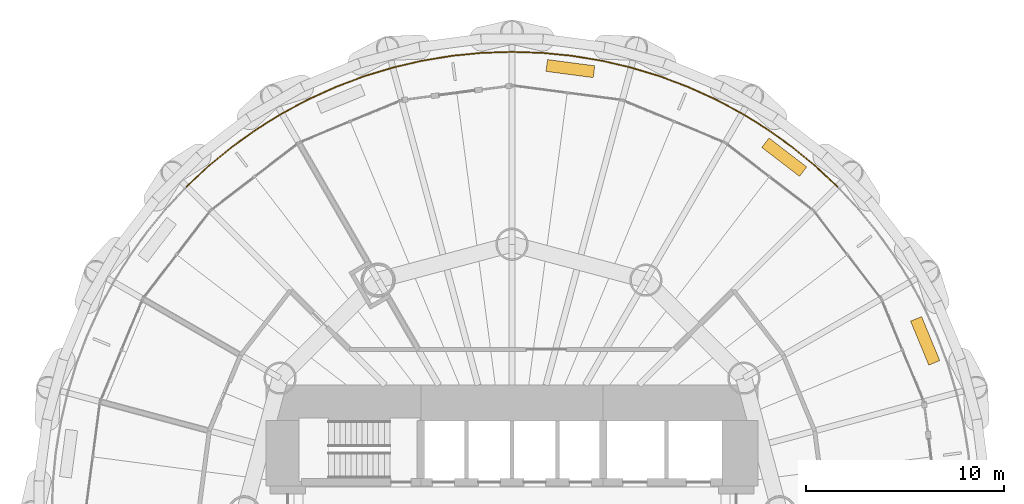
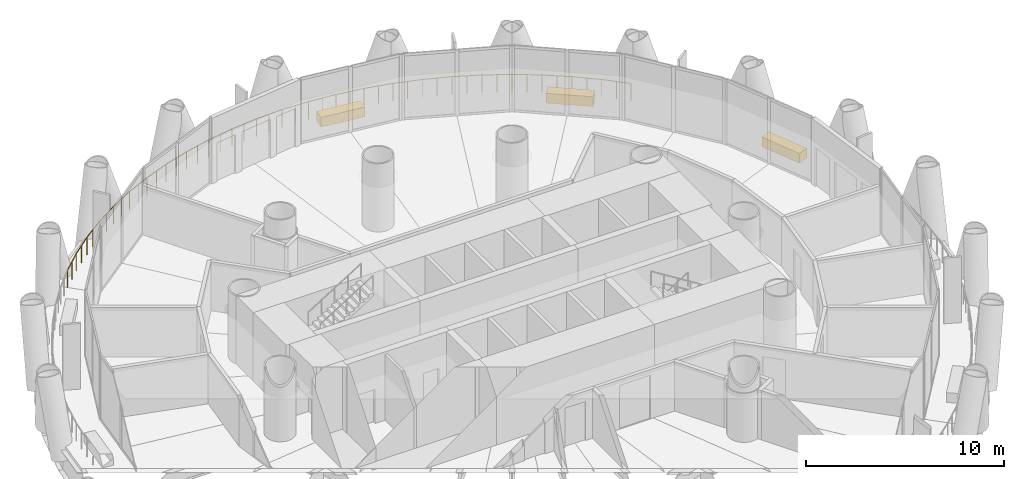
# One storey, part 16 of 16: 3 coverings, 1 railing.
"""IFC4 building model written with IfcOpenShell, lengths in metres."""

from ifc_helpers import new_model, si_unit, direction, frame, origin, origin_2d, place, context, subcontext, project, spatial, rectangle, circle, extrude, material, layer, layer_set, type_object, element, save


model = new_model("IFC4")

# Units and contexts
model_context = context("Model", 3, precision=1e-05, world=origin(), true_north=direction((0.0, 1.0)))
body_context = subcontext(model_context, "Body", "Model", "MODEL_VIEW")
ifc_project = project(units=[si_unit("LENGTHUNIT", "METRE"), si_unit("AREAUNIT", "SQUARE_METRE"), si_unit("VOLUMEUNIT", "CUBIC_METRE"), si_unit("PLANEANGLEUNIT", "RADIAN"), si_unit("MASSUNIT", "GRAM", prefix="KILO")], contexts=[model_context])

# Site, building, storey
site_placement = place(None, origin())
site = spatial("IfcSite", under=ifc_project, at=site_placement, CompositionType="ELEMENT")
building_placement = place(site_placement, origin())
building = spatial("IfcBuilding", under=site, at=building_placement, Name="Qaws Media Tower", CompositionType="ELEMENT")
storey_placement = place(building_placement, frame((0.0, 0.0, 38.60009765625)))
storey = spatial("IfcBuildingStorey", under=building, at=storey_placement, Name="L07", CompositionType="ELEMENT", Elevation=38.60009765625)

# Railing
ifc_material_1 = material(Name="Stainless steel and glass guard", Category="steel")
railing_type = type_object("IfcRailingType", Name="Balcony guard 1100", PredefinedType="GUARDRAIL", material=ifc_material_1)
railing_placement = place(storey_placement, frame((76.40478515625, 66.40478515625, 0.0)))
element("IfcRailing", 1, at=railing_placement, inside=storey, type_object=railing_type, Name="GR1 balcony guard L07-1", PredefinedType="GUARDRAIL", context=body_context, shape_type="SweptSolid", body=[
    extrude(circle(Radius=0.02392578125, at=origin_2d()), frame((0.0, 0.0, 1.076171875), z_axis=(-0.729807969016, 0.683652198388, 0.0), x_axis=(-0.683652198388, -0.729807969016, 0.0)), (0.0, 0.0, 1.0), 1.51806640625),
    extrude(circle(Radius=0.02392578125, at=origin_2d()), frame((-1.10791015625, 1.037841796875, 1.076171875), z_axis=(-0.773010685803, 0.634393000934, 0.0), x_axis=(-0.634393000934, -0.773010685803, 0.0)), (0.0, 0.0, 1.0), 1.518310546875),
    extrude(circle(Radius=0.02392578125, at=origin_2d()), frame((-2.281494140625, 2.0009765625, 1.076171875), z_axis=(-0.812874227646, 0.582439258661, 0.0), x_axis=(-0.582439258661, -0.812874227646, 0.0)), (0.0, 0.0, 1.0), 1.518310546875),
    extrude(circle(Radius=0.02392578125, at=origin_2d()), frame((-3.515625, 2.88525390625, 1.076171875), z_axis=(-0.849152775167, 0.528147294252, 0.0), x_axis=(-0.528147294252, -0.849152775167, 0.0)), (0.0, 0.0, 1.0), 1.51806640625),
    extrude(circle(Radius=0.02392578125, at=origin_2d()), frame((-4.8046875, 3.68701171875, 1.076171875), z_axis=(-0.881974308934, 0.471297483953, 0.0), x_axis=(-0.471297483953, -0.881974308934, 0.0)), (0.0, 0.0, 1.0), 1.518310546875),
    extrude(circle(Radius=0.02392578125, at=origin_2d()), frame((-6.143798828125, 4.402587890625, 1.076171875), z_axis=(-0.910823016553, 0.41279708395, 0.0), x_axis=(-0.41279708395, -0.910823016553, 0.0)), (0.0, 0.0, 1.0), 1.518310546875),
    extrude(circle(Radius=0.02392578125, at=origin_2d()), frame((-7.526611328125, 5.029296875, 1.076171875), z_axis=(-0.935932055132, 0.352180618684, 0.0), x_axis=(-0.352180618684, -0.935932055132, 0.0)), (0.0, 0.0, 1.0), 1.51806640625),
    extrude(circle(Radius=0.02392578125, at=origin_2d()), frame((-8.947509765625, 5.56396484375, 1.076171875), z_axis=(-0.956936438438, 0.290297524602, 0.0), x_axis=(-0.290297524602, -0.956936438438, 0.0)), (0.0, 0.0, 1.0), 1.51806640625),
    extrude(circle(Radius=0.02392578125, at=origin_2d()), frame((-10.400146484375, 6.004638671875, 1.076171875), z_axis=(-0.973879153952, 0.227066936159, 0.0), x_axis=(-0.227066936159, -0.973879153952, 0.0)), (0.0, 0.0, 1.0), 1.51806640625),
    extrude(circle(Radius=0.02392578125, at=origin_2d()), frame((-11.878662109375, 6.349365234375, 1.076171875), z_axis=(-0.986640555935, 0.162912287394, 0.0), x_axis=(-0.162912287394, -0.986640555935, 0.0)), (0.0, 0.0, 1.0), 1.51806640625),
    extrude(circle(Radius=0.02392578125, at=origin_2d()), frame((-13.37646484375, 6.5966796875, 1.076171875), z_axis=(-0.995177874507, 0.098086686613, 0.0), x_axis=(-0.098086686613, -0.995177874507, 0.0)), (0.0, 0.0, 1.0), 1.518310546875),
    extrude(circle(Radius=0.02392578125, at=origin_2d()), frame((-14.887451171875, 6.74560546875, 1.076171875), z_axis=(-0.999466993527, 0.032645502765, 0.0), x_axis=(-0.032645502765, -0.999466993527, 0.0)), (0.0, 0.0, 1.0), 1.51806640625),
    extrude(circle(Radius=0.02392578125, at=origin_2d()), frame((-16.40478515625, 6.795166015625, 1.076171875), z_axis=(-0.999466993527, -0.032645502765, 0.0), x_axis=(0.032645502765, -0.999466993527, 0.0)), (0.0, 0.0, 1.0), 1.51806640625),
    extrude(circle(Radius=0.02392578125, at=origin_2d()), frame((-17.922119140625, 6.74560546875, 1.076171875), z_axis=(-0.995177874507, -0.098086686613, 0.0), x_axis=(0.098086686613, -0.995177874507, 0.0)), (0.0, 0.0, 1.0), 1.518310546875),
    extrude(circle(Radius=0.02392578125, at=origin_2d()), frame((-19.43310546875, 6.5966796875, 1.076171875), z_axis=(-0.986640555935, -0.162912287394, 0.0), x_axis=(0.162912287394, -0.986640555935, 0.0)), (0.0, 0.0, 1.0), 1.51806640625),
    extrude(circle(Radius=0.02392578125, at=origin_2d()), frame((-20.930908203125, 6.349365234375, 1.076171875), z_axis=(-0.973879153952, -0.227066936159, 0.0), x_axis=(0.227066936159, -0.973879153952, 0.0)), (0.0, 0.0, 1.0), 1.51806640625),
    extrude(circle(Radius=0.02392578125, at=origin_2d()), frame((-22.409423828125, 6.004638671875, 1.076171875), z_axis=(-0.956936438438, -0.290297524602, 0.0), x_axis=(0.290297524602, -0.956936438438, 0.0)), (0.0, 0.0, 1.0), 1.51806640625),
    extrude(circle(Radius=0.02392578125, at=origin_2d()), frame((-23.862060546875, 5.56396484375, 1.076171875), z_axis=(-0.935932055132, -0.352180618684, 0.0), x_axis=(0.352180618684, -0.935932055132, 0.0)), (0.0, 0.0, 1.0), 1.51806640625),
    extrude(circle(Radius=0.02392578125, at=origin_2d()), frame((-25.282958984375, 5.029296875, 1.076171875), z_axis=(-0.910823016553, -0.41279708395, 0.0), x_axis=(0.41279708395, -0.910823016553, 0.0)), (0.0, 0.0, 1.0), 1.518310546875),
    extrude(circle(Radius=0.02392578125, at=origin_2d()), frame((-26.665771484375, 4.402587890625, 1.076171875), z_axis=(-0.881974308934, -0.471297483953, 0.0), x_axis=(0.471297483953, -0.881974308934, 0.0)), (0.0, 0.0, 1.0), 1.518310546875),
    extrude(circle(Radius=0.02392578125, at=origin_2d()), frame((-28.0048828125, 3.68701171875, 1.076171875), z_axis=(-0.849152775167, -0.528147294252, 0.0), x_axis=(0.528147294252, -0.849152775167, 0.0)), (0.0, 0.0, 1.0), 1.51806640625),
    extrude(circle(Radius=0.02392578125, at=origin_2d()), frame((-29.2939453125, 2.88525390625, 1.076171875), z_axis=(-0.812874227646, -0.582439258661, 0.0), x_axis=(0.582439258661, -0.812874227646, 0.0)), (0.0, 0.0, 1.0), 1.518310546875),
    extrude(circle(Radius=0.02392578125, at=origin_2d()), frame((-30.528076171875, 2.0009765625, 1.076171875), z_axis=(-0.773010685803, -0.634393000934, 0.0), x_axis=(0.634393000934, -0.773010685803, 0.0)), (0.0, 0.0, 1.0), 1.518310546875),
    extrude(circle(Radius=0.02392578125, at=origin_2d()), frame((-31.70166015625, 1.037841796875, 1.076171875), z_axis=(-0.729807969016, -0.683652198388, 0.0), x_axis=(0.683652198388, -0.729807969016, 0.0)), (0.0, 0.0, 1.0), 1.51806640625),
    extrude(circle(Radius=0.02099609375, at=origin_2d()), origin(), (0.0, 0.0, 1.0), 1.052001953125),
    extrude(circle(Radius=0.02099609375, at=origin_2d()), frame((-0.553955078125, 0.51904296875, 0.0)), (0.0, 0.0, 1.0), 1.052001953125),
    extrude(circle(Radius=0.02099609375, at=origin_2d()), frame((-1.10791015625, 1.037841796875, 0.0)), (0.0, 0.0, 1.0), 1.052001953125),
    extrude(circle(Radius=0.02099609375, at=origin_2d()), frame((-1.69482421875, 1.51953125, 0.0)), (0.0, 0.0, 1.0), 1.052001953125),
    extrude(circle(Radius=0.02099609375, at=origin_2d()), frame((-2.281494140625, 2.0009765625, 0.0)), (0.0, 0.0, 1.0), 1.052001953125),
    extrude(circle(Radius=0.02099609375, at=origin_2d()), frame((-2.8984375, 2.443115234375, 0.0)), (0.0, 0.0, 1.0), 1.052001953125),
    extrude(circle(Radius=0.02099609375, at=origin_2d()), frame((-3.515625, 2.88525390625, 0.0)), (0.0, 0.0, 1.0), 1.052001953125),
    extrude(circle(Radius=0.02099609375, at=origin_2d()), frame((-4.16015625, 3.2861328125, 0.0)), (0.0, 0.0, 1.0), 1.052001953125),
    extrude(circle(Radius=0.02099609375, at=origin_2d()), frame((-4.8046875, 3.68701171875, 0.0)), (0.0, 0.0, 1.0), 1.052001953125),
    extrude(circle(Radius=0.02099609375, at=origin_2d()), frame((-5.47412109375, 4.044921875, 0.0)), (0.0, 0.0, 1.0), 1.052001953125),
    extrude(circle(Radius=0.02099609375, at=origin_2d()), frame((-6.143798828125, 4.402587890625, 0.0)), (0.0, 0.0, 1.0), 1.052001953125),
    extrude(circle(Radius=0.02099609375, at=origin_2d()), frame((-6.835205078125, 4.7158203125, 0.0)), (0.0, 0.0, 1.0), 1.052001953125),
    extrude(circle(Radius=0.02099609375, at=origin_2d()), frame((-7.526611328125, 5.029296875, 0.0)), (0.0, 0.0, 1.0), 1.052001953125),
    extrude(circle(Radius=0.02099609375, at=origin_2d()), frame((-8.237060546875, 5.296630859375, 0.0)), (0.0, 0.0, 1.0), 1.052001953125),
    extrude(circle(Radius=0.02099609375, at=origin_2d()), frame((-8.947509765625, 5.56396484375, 0.0)), (0.0, 0.0, 1.0), 1.052001953125),
    extrude(circle(Radius=0.02099609375, at=origin_2d()), frame((-9.673828125, 5.7841796875, 0.0)), (0.0, 0.0, 1.0), 1.052001953125),
    extrude(circle(Radius=0.02099609375, at=origin_2d()), frame((-10.400146484375, 6.004638671875, 0.0)), (0.0, 0.0, 1.0), 1.052001953125),
    extrude(circle(Radius=0.02099609375, at=origin_2d()), frame((-11.139404296875, 6.177001953125, 0.0)), (0.0, 0.0, 1.0), 1.052001953125),
    extrude(circle(Radius=0.02099609375, at=origin_2d()), frame((-11.878662109375, 6.349365234375, 0.0)), (0.0, 0.0, 1.0), 1.052001953125),
    extrude(circle(Radius=0.02099609375, at=origin_2d()), frame((-12.62744140625, 6.47314453125, 0.0)), (0.0, 0.0, 1.0), 1.052001953125),
    extrude(circle(Radius=0.02099609375, at=origin_2d()), frame((-13.37646484375, 6.5966796875, 0.0)), (0.0, 0.0, 1.0), 1.052001953125),
    extrude(circle(Radius=0.02099609375, at=origin_2d()), frame((-14.1318359375, 6.671142578125, 0.0)), (0.0, 0.0, 1.0), 1.052001953125),
    extrude(circle(Radius=0.02099609375, at=origin_2d()), frame((-14.887451171875, 6.74560546875, 0.0)), (0.0, 0.0, 1.0), 1.052001953125),
    extrude(circle(Radius=0.02099609375, at=origin_2d()), frame((-15.64599609375, 6.7705078125, 0.0)), (0.0, 0.0, 1.0), 1.052001953125),
    extrude(circle(Radius=0.02099609375, at=origin_2d()), frame((-16.40478515625, 6.795166015625, 0.0)), (0.0, 0.0, 1.0), 1.052001953125),
    extrude(circle(Radius=0.02099609375, at=origin_2d()), frame((-17.16357421875, 6.7705078125, 0.0)), (0.0, 0.0, 1.0), 1.052001953125),
    extrude(circle(Radius=0.02099609375, at=origin_2d()), frame((-17.922119140625, 6.74560546875, 0.0)), (0.0, 0.0, 1.0), 1.052001953125),
    extrude(circle(Radius=0.02099609375, at=origin_2d()), frame((-18.677734375, 6.671142578125, 0.0)), (0.0, 0.0, 1.0), 1.052001953125),
    extrude(circle(Radius=0.02099609375, at=origin_2d()), frame((-19.43310546875, 6.5966796875, 0.0)), (0.0, 0.0, 1.0), 1.052001953125),
    extrude(circle(Radius=0.02099609375, at=origin_2d()), frame((-20.18212890625, 6.47314453125, 0.0)), (0.0, 0.0, 1.0), 1.052001953125),
    extrude(circle(Radius=0.02099609375, at=origin_2d()), frame((-20.930908203125, 6.349365234375, 0.0)), (0.0, 0.0, 1.0), 1.052001953125),
    extrude(circle(Radius=0.02099609375, at=origin_2d()), frame((-21.670166015625, 6.177001953125, 0.0)), (0.0, 0.0, 1.0), 1.052001953125),
    extrude(circle(Radius=0.02099609375, at=origin_2d()), frame((-22.409423828125, 6.004638671875, 0.0)), (0.0, 0.0, 1.0), 1.052001953125),
    extrude(circle(Radius=0.02099609375, at=origin_2d()), frame((-23.1357421875, 5.7841796875, 0.0)), (0.0, 0.0, 1.0), 1.052001953125),
    extrude(circle(Radius=0.02099609375, at=origin_2d()), frame((-23.862060546875, 5.56396484375, 0.0)), (0.0, 0.0, 1.0), 1.052001953125),
    extrude(circle(Radius=0.02099609375, at=origin_2d()), frame((-24.572509765625, 5.296630859375, 0.0)), (0.0, 0.0, 1.0), 1.052001953125),
    extrude(circle(Radius=0.02099609375, at=origin_2d()), frame((-25.282958984375, 5.029296875, 0.0)), (0.0, 0.0, 1.0), 1.052001953125),
    extrude(circle(Radius=0.02099609375, at=origin_2d()), frame((-25.974365234375, 4.7158203125, 0.0)), (0.0, 0.0, 1.0), 1.052001953125),
    extrude(circle(Radius=0.02099609375, at=origin_2d()), frame((-26.665771484375, 4.402587890625, 0.0)), (0.0, 0.0, 1.0), 1.052001953125),
    extrude(circle(Radius=0.02099609375, at=origin_2d()), frame((-27.33544921875, 4.044921875, 0.0)), (0.0, 0.0, 1.0), 1.052001953125),
    extrude(circle(Radius=0.02099609375, at=origin_2d()), frame((-28.0048828125, 3.68701171875, 0.0)), (0.0, 0.0, 1.0), 1.052001953125),
    extrude(circle(Radius=0.02099609375, at=origin_2d()), frame((-28.6494140625, 3.2861328125, 0.0)), (0.0, 0.0, 1.0), 1.052001953125),
    extrude(circle(Radius=0.02099609375, at=origin_2d()), frame((-29.2939453125, 2.88525390625, 0.0)), (0.0, 0.0, 1.0), 1.052001953125),
    extrude(circle(Radius=0.02099609375, at=origin_2d()), frame((-29.9111328125, 2.443115234375, 0.0)), (0.0, 0.0, 1.0), 1.052001953125),
    extrude(circle(Radius=0.02099609375, at=origin_2d()), frame((-30.528076171875, 2.0009765625, 0.0)), (0.0, 0.0, 1.0), 1.052001953125),
    extrude(circle(Radius=0.02099609375, at=origin_2d()), frame((-31.11474609375, 1.51953125, 0.0)), (0.0, 0.0, 1.0), 1.052001953125),
    extrude(circle(Radius=0.02099609375, at=origin_2d()), frame((-31.70166015625, 1.037841796875, 0.0)), (0.0, 0.0, 1.0), 1.052001953125),
    extrude(circle(Radius=0.02099609375, at=origin_2d()), frame((-32.255615234375, 0.51904296875, 0.0)), (0.0, 0.0, 1.0), 1.052001953125),
    extrude(circle(Radius=0.02099609375, at=origin_2d()), frame((-32.8095703125, 0.0, 0.0)), (0.0, 0.0, 1.0), 1.052001953125),
])

# Coverings
ifc_material_2 = material(Name="Precast concrete planter with trailing planting", Category="concrete")
ifc_layer = layer(ifc_material_2, 0.60009765625)
ifc_layer_set = layer_set([ifc_layer], Name="Planter 2400x600")
covering_type = type_object("IfcCoveringType", Name="Planter 2400x600", PredefinedType="USERDEFINED", material=ifc_layer_set)
for number, where, z_axis, x_axis, name in (
    (2, (80.83349609375, 58.62939453125, -0.000244140625), (0.0, 0.0, 1.0), (-0.382683432365, 0.923879532511, 0.0), "PL1 balcony planter L07-01"),
    (3, (73.7275390625, 67.89013671875, -0.000244140625), (0.0, 0.0, 1.0), (-0.793353340291, 0.608761429009, 0.0), "PL1 balcony planter L07-02"),
    (4, (62.943359375, 72.357177734375, -0.000244140625), (0.0, 0.0, 1.0), (-0.991444861374, 0.13052619222, 0.0), "PL1 balcony planter L07-03"),
):
    element("IfcCovering", number, at=place(storey_placement, frame(where, z_axis=z_axis, x_axis=x_axis)), inside=storey, type_object=covering_type, Name=name, ObjectType="PLANTER", PredefinedType="USERDEFINED", context=body_context, shape_type="SweptSolid", body=[
        extrude(rectangle(XDim=2.39990234375, YDim=0.60009765625, at=origin_2d()), origin(), (0.0, 0.0, 1.0), 0.60009765625),
    ])

save(model, "model.ifc")
